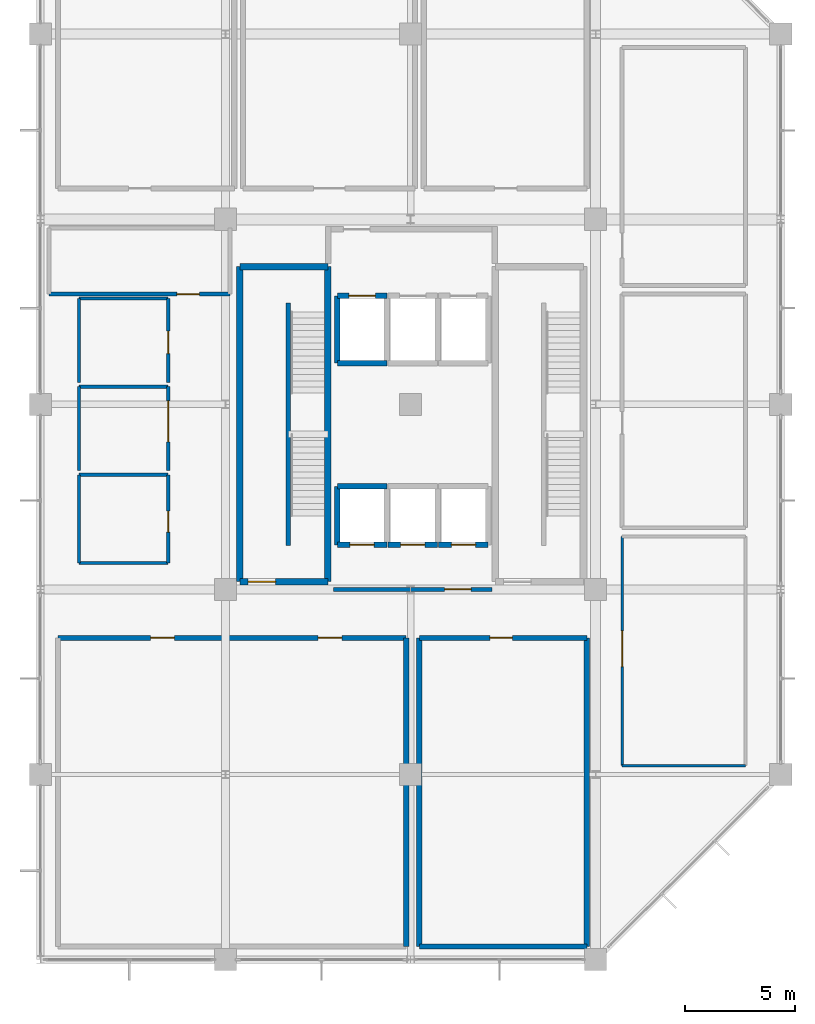
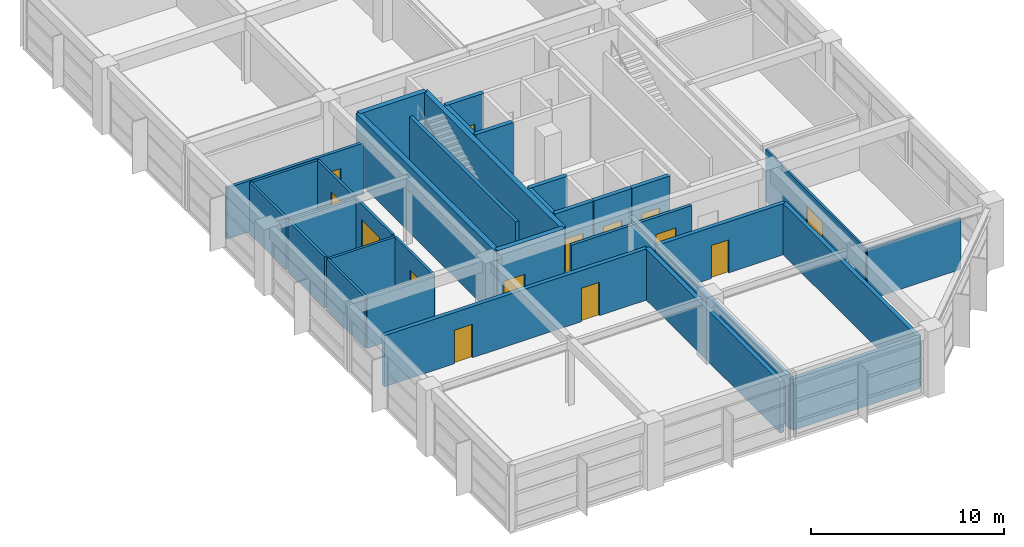
# One storey, part 13 of 16: 33 walls, 14 doors, 14 openings.
"""IFC4 building model written with IfcOpenShell, lengths in metres."""

from ifc_helpers import new_model, si_unit, direction, frame, frame_2d, origin, place, context, subcontext, project, spatial, rectangle, extrude, material, layer, layer_set, type_object, element, fill, save


model = new_model("IFC4")

# Units and contexts
model_context = context("Model", 3, precision=1e-05, world=origin(), true_north=direction((0.0, 1.0)))
body_context = subcontext(model_context, "Body", "Model", "MODEL_VIEW")
ifc_project = project(units=[si_unit("LENGTHUNIT", "METRE"), si_unit("AREAUNIT", "SQUARE_METRE"), si_unit("VOLUMEUNIT", "CUBIC_METRE"), si_unit("PLANEANGLEUNIT", "RADIAN"), si_unit("MASSUNIT", "GRAM", prefix="KILO")], contexts=[model_context])

# Site, building, storey
site_placement = place(None, origin())
site = spatial("IfcSite", under=ifc_project, at=site_placement, CompositionType="ELEMENT")
building_placement = place(site_placement, origin())
building = spatial("IfcBuilding", under=site, at=building_placement, Name="Xuanlan Plaza Opera House", CompositionType="ELEMENT")
storey_placement = place(building_placement, frame((0.0, 0.0, 48.89990234375)))
storey = spatial("IfcBuildingStorey", under=building, at=storey_placement, Name="L11", CompositionType="ELEMENT", Elevation=48.89990234375)

# Wall, openings, doors
ifc_material_1 = material(Name="Gypsum Board and Galvanised Steel Studs", Category="gypsum")
ifc_layer_1 = layer(ifc_material_1, 0.239990234375)
ifc_layer_set_1 = layer_set([ifc_layer_1], Name="Gypsum Board and Galvanised Steel Studs")
wall_type_1 = type_object("IfcWallType", Name="INT-WL-PW-01", PredefinedType="PARTITIONING", material=ifc_layer_set_1)
wall_1_placement = place(storey_placement, frame((126.800048828125, 48.199951171875, 0.0), z_axis=(0.0, 0.0, 1.0), x_axis=(1.0, 0.0, 0.0)))
wall_1 = element("IfcWall", 1, at=wall_1_placement, inside=storey, type_object=wall_type_1, Name="Ensemble Rehearsal Studio Wall North", PredefinedType="PARTITIONING", context=body_context, shape_type="SweptSolid", body=[
    extrude(rectangle(XDim=15.800048828125, YDim=0.239990234375, at=frame_2d((7.89990234375, 0.0))), origin(), (0.0, 0.0, 1.0), 3.239990234375),
])
opening_1_placement = place(wall_1_placement, frame((4.199951171875, 0.0, 0.0)))
opening_1 = element("IfcOpeningElement", 2, at=opening_1_placement, cuts=wall_1, Name="Opening D-06", PredefinedType="OPENING", context=body_context, shape_type="SweptSolid", body=[
    extrude(rectangle(XDim=1.080078125, YDim=2.1201171875, at=frame_2d((0.5400390625, 1.06005859375))), frame((0.0, 0.1298828125, 0.0), z_axis=(0.0, -1.0, 0.0), x_axis=(1.0, 0.0, 0.0)), (0.0, 0.0, 1.0), 0.260009765625),
])
opening_2_placement = place(wall_1_placement, frame((11.800048828125, 0.0, 0.0)))
opening_2 = element("IfcOpeningElement", 3, at=opening_2_placement, cuts=wall_1, Name="Opening D-06", PredefinedType="OPENING", context=body_context, shape_type="SweptSolid", body=[
    extrude(rectangle(XDim=1.080078125, YDim=2.1201171875, at=frame_2d((0.5400390625, 1.06005859375))), frame((0.0, 0.1298828125, 0.0), z_axis=(0.0, -1.0, 0.0), x_axis=(1.0, 0.0, 0.0)), (0.0, 0.0, 1.0), 0.260009765625),
])
ifc_material_2 = material(Name="Oak Hardwood Timber", Category="wood")
door_type_1 = type_object("IfcDoorType", Name="INT-DR-D-06", OperationType="NOTDEFINED", PredefinedType="DOOR", material=ifc_material_2)
door_1_placement = place(opening_1_placement, origin())
door_1 = element("IfcDoor", 4, at=door_1_placement, inside=storey, type_object=door_type_1, Name="Ensemble Rehearsal Studio Door 1", OperationType="SINGLE_SWING_RIGHT", OverallHeight=2.1201171875, OverallWidth=1.080078125, PredefinedType="DOOR", context=body_context, shape_type="SweptSolid", body=[
    extrude(rectangle(XDim=1.080078125, YDim=2.1201171875, at=frame_2d((0.5400390625, 1.06005859375))), frame((0.0, 0.02490234375, 0.0), z_axis=(0.0, -1.0, 0.0), x_axis=(1.0, 0.0, 0.0)), (0.0, 0.0, 1.0), 0.050048828125),
])
fill(opening_1, door_1)
door_2_placement = place(opening_2_placement, origin())
door_2 = element("IfcDoor", 5, at=door_2_placement, inside=storey, type_object=door_type_1, Name="Ensemble Rehearsal Studio Door 2", OperationType="SINGLE_SWING_LEFT", OverallHeight=2.1201171875, OverallWidth=1.080078125, PredefinedType="DOOR", context=body_context, shape_type="SweptSolid", body=[
    extrude(rectangle(XDim=1.080078125, YDim=2.1201171875, at=frame_2d((0.5400390625, 1.06005859375))), frame((0.0, 0.02490234375, 0.0), z_axis=(0.0, -1.0, 0.0), x_axis=(1.0, 0.0, 0.0)), (0.0, 0.0, 1.0), 0.050048828125),
])
fill(opening_2, door_2)

# Walls
wall_2_placement = place(storey_placement, frame((142.60009765625, 34.199951171875, 0.0), z_axis=(0.0, 0.0, 1.0), x_axis=(0.0, 1.0, 0.0)))
element("IfcWall", 6, at=wall_2_placement, inside=storey, type_object=wall_type_1, Name="Ensemble Rehearsal Studio Wall East", PredefinedType="PARTITIONING", context=body_context, shape_type="SweptSolid", body=[
    extrude(rectangle(XDim=14.0, YDim=0.239990234375, at=frame_2d((7.0, 0.0))), origin(), (0.0, 0.0, 1.0), 3.239990234375),
])
wall_3_placement = place(storey_placement, frame((143.199951171875, 34.199951171875, 0.0), z_axis=(0.0, 0.0, 1.0), x_axis=(1.0, 0.0, 0.0)))
element("IfcWall", 7, at=wall_3_placement, inside=storey, type_object=wall_type_1, Name="Conservatoire Practice Studio Wall South", PredefinedType="PARTITIONING", context=body_context, shape_type="SweptSolid", body=[
    extrude(rectangle(XDim=7.60009765625, YDim=0.239990234375, at=frame_2d((3.800048828125, 0.0))), origin(), (0.0, 0.0, 1.0), 3.239990234375),
])

# Wall, opening, door
wall_4_placement = place(storey_placement, frame((143.199951171875, 48.199951171875, 0.0), z_axis=(0.0, 0.0, 1.0), x_axis=(1.0, 0.0, 0.0)))
wall_4 = element("IfcWall", 8, at=wall_4_placement, inside=storey, type_object=wall_type_1, Name="Conservatoire Practice Studio Wall North", PredefinedType="PARTITIONING", context=body_context, shape_type="SweptSolid", body=[
    extrude(rectangle(XDim=7.60009765625, YDim=0.239990234375, at=frame_2d((3.800048828125, 0.0))), origin(), (0.0, 0.0, 1.0), 3.239990234375),
])
opening_3_placement = place(wall_4_placement, frame((3.199951171875, 0.0, 0.0)))
opening_3 = element("IfcOpeningElement", 9, at=opening_3_placement, cuts=wall_4, Name="Opening D-02", PredefinedType="OPENING", context=body_context, shape_type="SweptSolid", body=[
    extrude(rectangle(XDim=1.02001953125, YDim=2.10009765625, at=frame_2d((0.510009765625, 1.050048828125))), frame((0.0, 0.1298828125, 0.0), z_axis=(0.0, -1.0, 0.0), x_axis=(1.0, 0.0, 0.0)), (0.0, 0.0, 1.0), 0.260009765625),
])
door_type_2 = type_object("IfcDoorType", Name="INT-DR-D-02", OperationType="NOTDEFINED", PredefinedType="DOOR", material=ifc_material_2)
door_3_placement = place(opening_3_placement, origin())
door_3 = element("IfcDoor", 10, at=door_3_placement, inside=storey, type_object=door_type_2, Name="Conservatoire Practice Studio Door 1", OperationType="SINGLE_SWING_RIGHT", OverallHeight=2.10009765625, OverallWidth=1.02001953125, PredefinedType="DOOR", context=body_context, shape_type="SweptSolid", body=[
    extrude(rectangle(XDim=1.02001953125, YDim=2.10009765625, at=frame_2d((0.510009765625, 1.050048828125))), frame((0.0, 0.02490234375, 0.0), z_axis=(0.0, -1.0, 0.0), x_axis=(1.0, 0.0, 0.0)), (0.0, 0.0, 1.0), 0.050048828125),
])
fill(opening_3, door_3)

# Walls
for number, where, z_axis, x_axis, name in (
    (11, (143.199951171875, 34.199951171875, 0.0), (0.0, 0.0, 1.0), (0.0, 1.0, 0.0), "Conservatoire Practice Studio Wall West"),
    (12, (150.800048828125, 34.199951171875, 0.0), (0.0, 0.0, 1.0), (0.0, 1.0, 0.0), "Conservatoire Practice Studio Wall East"),
):
    element("IfcWall", number, at=place(storey_placement, frame(where, z_axis=z_axis, x_axis=x_axis)), inside=storey, type_object=wall_type_1, Name=name, PredefinedType="PARTITIONING", context=body_context, shape_type="SweptSolid", body=[
        extrude(rectangle(XDim=14.0, YDim=0.239990234375, at=frame_2d((7.0, 0.0))), origin(), (0.0, 0.0, 1.0), 3.239990234375),
    ])

# Wall, opening, door
ifc_layer_2 = layer(ifc_material_1, 0.179931640625)
ifc_layer_set_2 = layer_set([ifc_layer_2], Name="Gypsum Board and Galvanised Steel Studs")
wall_type_2 = type_object("IfcWallType", Name="INT-WL-PW-02", PredefinedType="PARTITIONING", material=ifc_layer_set_2)
wall_5_placement = place(storey_placement, frame((139.300048828125, 50.39990234375, 0.0), z_axis=(0.0, 0.0, 1.0), x_axis=(1.0, 0.0, 0.0)))
wall_5 = element("IfcWall", 13, at=wall_5_placement, inside=storey, type_object=wall_type_2, Name="Tower Lift Lobby Wall South", PredefinedType="PARTITIONING", context=body_context, shape_type="SweptSolid", body=[
    extrude(rectangle(XDim=7.199951171875, YDim=0.179931640625, at=frame_2d((3.60009765625, 0.0))), origin(), (0.0, 0.0, 1.0), 3.239990234375),
])
opening_4_placement = place(wall_5_placement, frame((5.050048828125, 0.0, 0.0)))
opening_4 = element("IfcOpeningElement", 14, at=opening_4_placement, cuts=wall_5, Name="Opening FD-02", PredefinedType="OPENING", context=body_context, shape_type="SweptSolid", body=[
    extrude(rectangle(XDim=1.199951171875, YDim=2.14990234375, at=frame_2d((0.60009765625, 1.074951171875))), frame((0.0, 0.099853515625, 0.0), z_axis=(0.0, -1.0, 0.0), x_axis=(1.0, 0.0, 0.0)), (0.0, 0.0, 1.0), 0.199951171875),
])
ifc_material_3 = material(Name="Galvanised Steel Q235B", Category="steel")
door_type_3 = type_object("IfcDoorType", Name="INT-DR-FD-02", OperationType="NOTDEFINED", PredefinedType="DOOR", material=ifc_material_3)
door_4_placement = place(opening_4_placement, frame((1.199951171875, 0.0, 0.0), z_axis=(0.0, 0.0, 1.0), x_axis=(-1.0, 0.0, 0.0)))
door_4 = element("IfcDoor", 15, at=door_4_placement, inside=storey, type_object=door_type_3, Name="Tower Lift Lobby Door 1", OperationType="SINGLE_SWING_RIGHT", OverallHeight=2.14990234375, OverallWidth=1.199951171875, PredefinedType="DOOR", context=body_context, shape_type="SweptSolid", body=[
    extrude(rectangle(XDim=1.199951171875, YDim=2.14990234375, at=frame_2d((0.60009765625, 1.074951171875))), frame((0.0, 0.02490234375, 0.0), z_axis=(0.0, -1.0, 0.0), x_axis=(1.0, 0.0, 0.0)), (0.0, 0.0, 1.0), 0.050048828125),
])
fill(opening_4, door_4)

wall_6_placement = place(storey_placement, frame((126.39990234375, 63.800048828125, 0.0), z_axis=(0.0, 0.0, 1.0), x_axis=(1.0, 0.0, 0.0)))
wall_6 = element("IfcWall", 16, at=wall_6_placement, inside=storey, type_object=wall_type_2, Name="Acoustics Research Studio Wall South", PredefinedType="PARTITIONING", context=body_context, shape_type="SweptSolid", body=[
    extrude(rectangle(XDim=8.2001953125, YDim=0.179931640625, at=frame_2d((4.10009765625, 0.0))), origin(), (0.0, 0.0, 1.0), 3.239990234375),
])
opening_5_placement = place(wall_6_placement, frame((5.800048828125, 0.0, 0.0)))
opening_5 = element("IfcOpeningElement", 17, at=opening_5_placement, cuts=wall_6, Name="Opening D-02", PredefinedType="OPENING", context=body_context, shape_type="SweptSolid", body=[
    extrude(rectangle(XDim=1.02001953125, YDim=2.10009765625, at=frame_2d((0.510009765625, 1.050048828125))), frame((0.0, 0.099853515625, 0.0), z_axis=(0.0, -1.0, 0.0), x_axis=(1.0, 0.0, 0.0)), (0.0, 0.0, 1.0), 0.199951171875),
])
door_5_placement = place(opening_5_placement, origin())
door_5 = element("IfcDoor", 18, at=door_5_placement, inside=storey, type_object=door_type_2, Name="Acoustics Research Studio Door 1", OperationType="SINGLE_SWING_RIGHT", OverallHeight=2.10009765625, OverallWidth=1.02001953125, PredefinedType="DOOR", context=body_context, shape_type="SweptSolid", body=[
    extrude(rectangle(XDim=1.02001953125, YDim=2.10009765625, at=frame_2d((0.510009765625, 1.050048828125))), frame((0.0, 0.02490234375, 0.0), z_axis=(0.0, -1.0, 0.0), x_axis=(1.0, 0.0, 0.0)), (0.0, 0.0, 1.0), 0.050048828125),
])
fill(opening_5, door_5)

# Walls
ifc_material_4 = material(Name="Autoclaved Aerated Blockwork Masonry", Category="masonry")
ifc_layer_3 = layer(ifc_material_4, 0.14990234375)
ifc_layer_set_3 = layer_set([ifc_layer_3], Name="Autoclaved Aerated Blockwork Masonry")
wall_type_3 = type_object("IfcWallType", Name="INT-WL-PW-03", PredefinedType="PARTITIONING", material=ifc_layer_set_3)
for number, where, z_axis, x_axis, name in (
    (19, (127.75, 51.60009765625, 0.0), (0.0, 0.0, 1.0), (1.0, 0.0, 0.0), "Public WC Wall South"),
    (20, (127.75, 55.60009765625, 0.0), (0.0, 0.0, 1.0), (1.0, 0.0, 0.0), "Public WC Wall North"),
):
    element("IfcWall", number, at=place(storey_placement, frame(where, z_axis=z_axis, x_axis=x_axis)), inside=storey, type_object=wall_type_3, Name=name, PredefinedType="PARTITIONING", context=body_context, shape_type="SweptSolid", body=[
        extrude(rectangle(XDim=4.050048828125, YDim=0.14990234375, at=frame_2d((2.02490234375, 0.0))), origin(), (0.0, 0.0, 1.0), 3.239990234375),
    ])
wall_7_placement = place(storey_placement, frame((127.75, 51.60009765625, 0.0), z_axis=(0.0, 0.0, 1.0), x_axis=(0.0, 1.0, 0.0)))
element("IfcWall", 21, at=wall_7_placement, inside=storey, type_object=wall_type_3, Name="Public WC Wall West", PredefinedType="PARTITIONING", context=body_context, shape_type="SweptSolid", body=[
    extrude(rectangle(XDim=4.0, YDim=0.14990234375, at=frame_2d((2.0, 0.0))), origin(), (0.0, 0.0, 1.0), 3.239990234375),
])

# Wall, opening, door
wall_8_placement = place(storey_placement, frame((131.800048828125, 51.60009765625, 0.0), z_axis=(0.0, 0.0, 1.0), x_axis=(0.0, 1.0, 0.0)))
wall_8 = element("IfcWall", 22, at=wall_8_placement, inside=storey, type_object=wall_type_3, Name="Public WC Wall East", PredefinedType="PARTITIONING", context=body_context, shape_type="SweptSolid", body=[
    extrude(rectangle(XDim=4.0, YDim=0.14990234375, at=frame_2d((2.0, 0.0))), origin(), (0.0, 0.0, 1.0), 3.239990234375),
])
opening_6_placement = place(wall_8_placement, frame((1.39990234375, 0.0, 0.0)))
opening_6 = element("IfcOpeningElement", 23, at=opening_6_placement, cuts=wall_8, Name="Opening D-01", PredefinedType="OPENING", context=body_context, shape_type="SweptSolid", body=[
    extrude(rectangle(XDim=0.949951171875, YDim=2.10009765625, at=frame_2d((0.47509765625, 1.050048828125))), frame((0.0, 0.0849609375, 0.0), z_axis=(0.0, -1.0, 0.0), x_axis=(1.0, 0.0, 0.0)), (0.0, 0.0, 1.0), 0.169921875),
])
ifc_material_5 = material(Name="Walnut Hardwood Timber", Category="wood")
door_type_4 = type_object("IfcDoorType", Name="INT-DR-D-01", OperationType="NOTDEFINED", PredefinedType="DOOR", material=ifc_material_5)
door_6_placement = place(opening_6_placement, origin())
door_6 = element("IfcDoor", 24, at=door_6_placement, inside=storey, type_object=door_type_4, Name="Public WC Door 1", OperationType="SINGLE_SWING_RIGHT", OverallHeight=2.10009765625, OverallWidth=0.949951171875, PredefinedType="DOOR", context=body_context, shape_type="SweptSolid", body=[
    extrude(rectangle(XDim=0.949951171875, YDim=2.10009765625, at=frame_2d((0.47509765625, 1.050048828125))), frame((0.0, 0.02490234375, 0.0), z_axis=(0.0, -1.0, 0.0), x_axis=(1.0, 0.0, 0.0)), (0.0, 0.0, 1.0), 0.050048828125),
])
fill(opening_6, door_6)

# Walls
wall_9_placement = place(storey_placement, frame((127.75, 59.60009765625, 0.0), z_axis=(0.0, 0.0, 1.0), x_axis=(1.0, 0.0, 0.0)))
element("IfcWall", 25, at=wall_9_placement, inside=storey, type_object=wall_type_3, Name="Staff WC Wall North", PredefinedType="PARTITIONING", context=body_context, shape_type="SweptSolid", body=[
    extrude(rectangle(XDim=4.050048828125, YDim=0.14990234375, at=frame_2d((2.02490234375, 0.0))), origin(), (0.0, 0.0, 1.0), 3.239990234375),
])
wall_10_placement = place(storey_placement, frame((127.75, 55.800048828125, 0.0), z_axis=(0.0, 0.0, 1.0), x_axis=(0.0, 1.0, 0.0)))
element("IfcWall", 26, at=wall_10_placement, inside=storey, type_object=wall_type_3, Name="Staff WC Wall West", PredefinedType="PARTITIONING", context=body_context, shape_type="SweptSolid", body=[
    extrude(rectangle(XDim=3.800048828125, YDim=0.14990234375, at=frame_2d((1.89990234375, 0.0))), origin(), (0.0, 0.0, 1.0), 3.239990234375),
])

# Wall, opening, door
wall_11_placement = place(storey_placement, frame((131.800048828125, 55.800048828125, 0.0), z_axis=(0.0, 0.0, 1.0), x_axis=(0.0, 1.0, 0.0)))
wall_11 = element("IfcWall", 27, at=wall_11_placement, inside=storey, type_object=wall_type_3, Name="Staff WC Wall East", PredefinedType="PARTITIONING", context=body_context, shape_type="SweptSolid", body=[
    extrude(rectangle(XDim=3.800048828125, YDim=0.14990234375, at=frame_2d((1.89990234375, 0.0))), origin(), (0.0, 0.0, 1.0), 3.239990234375),
])
opening_7_placement = place(wall_11_placement, frame((1.300048828125, 0.0, 0.0)))
opening_7 = element("IfcOpeningElement", 28, at=opening_7_placement, cuts=wall_11, Name="Opening D-15", PredefinedType="OPENING", context=body_context, shape_type="SweptSolid", body=[
    extrude(rectangle(XDim=1.860107421875, YDim=2.260009765625, at=frame_2d((0.93017578125, 1.1298828125))), frame((0.0, 0.0849609375, 0.0), z_axis=(0.0, -1.0, 0.0), x_axis=(1.0, 0.0, 0.0)), (0.0, 0.0, 1.0), 0.169921875),
])
door_type_5 = type_object("IfcDoorType", Name="INT-DR-D-15", OperationType="DOUBLE_DOOR_SINGLE_SWING", PredefinedType="DOOR", material=ifc_material_5)
door_7_placement = place(opening_7_placement, origin())
door_7 = element("IfcDoor", 29, at=door_7_placement, inside=storey, type_object=door_type_5, Name="Staff WC Door 1", OperationType="DOUBLE_DOOR_SINGLE_SWING", OverallHeight=2.260009765625, OverallWidth=1.860107421875, PredefinedType="DOOR", context=body_context, shape_type="SweptSolid", body=[
    extrude(rectangle(XDim=1.860107421875, YDim=2.260009765625, at=frame_2d((0.93017578125, 1.1298828125))), frame((0.0, 0.02490234375, 0.0), z_axis=(0.0, -1.0, 0.0), x_axis=(1.0, 0.0, 0.0)), (0.0, 0.0, 1.0), 0.050048828125),
])
fill(opening_7, door_7)

# Walls
wall_12_placement = place(storey_placement, frame((127.75, 63.60009765625, 0.0), z_axis=(0.0, 0.0, 1.0), x_axis=(1.0, 0.0, 0.0)))
element("IfcWall", 30, at=wall_12_placement, inside=storey, type_object=wall_type_3, Name="Accessible WC Wall North", PredefinedType="PARTITIONING", context=body_context, shape_type="SweptSolid", body=[
    extrude(rectangle(XDim=4.050048828125, YDim=0.14990234375, at=frame_2d((2.02490234375, 0.0))), origin(), (0.0, 0.0, 1.0), 3.239990234375),
])
wall_13_placement = place(storey_placement, frame((127.75, 59.800048828125, 0.0), z_axis=(0.0, 0.0, 1.0), x_axis=(0.0, 1.0, 0.0)))
element("IfcWall", 31, at=wall_13_placement, inside=storey, type_object=wall_type_3, Name="Accessible WC Wall West", PredefinedType="PARTITIONING", context=body_context, shape_type="SweptSolid", body=[
    extrude(rectangle(XDim=3.800048828125, YDim=0.14990234375, at=frame_2d((1.89990234375, 0.0))), origin(), (0.0, 0.0, 1.0), 3.239990234375),
])

# Wall, opening, door
wall_14_placement = place(storey_placement, frame((131.800048828125, 59.800048828125, 0.0), z_axis=(0.0, 0.0, 1.0), x_axis=(0.0, 1.0, 0.0)))
wall_14 = element("IfcWall", 32, at=wall_14_placement, inside=storey, type_object=wall_type_3, Name="Accessible WC Wall East", PredefinedType="PARTITIONING", context=body_context, shape_type="SweptSolid", body=[
    extrude(rectangle(XDim=3.800048828125, YDim=0.14990234375, at=frame_2d((1.89990234375, 0.0))), origin(), (0.0, 0.0, 1.0), 3.239990234375),
])
opening_8_placement = place(wall_14_placement, frame((1.300048828125, 0.0, 0.0)))
opening_8 = element("IfcOpeningElement", 33, at=opening_8_placement, cuts=wall_14, Name="Opening D-02", PredefinedType="OPENING", context=body_context, shape_type="SweptSolid", body=[
    extrude(rectangle(XDim=1.02001953125, YDim=2.10009765625, at=frame_2d((0.510009765625, 1.050048828125))), frame((0.0, 0.0849609375, 0.0), z_axis=(0.0, -1.0, 0.0), x_axis=(1.0, 0.0, 0.0)), (0.0, 0.0, 1.0), 0.169921875),
])
door_8_placement = place(opening_8_placement, origin())
door_8 = element("IfcDoor", 34, at=door_8_placement, inside=storey, type_object=door_type_2, Name="Accessible WC Door 1", OperationType="SINGLE_SWING_RIGHT", OverallHeight=2.10009765625, OverallWidth=1.02001953125, PredefinedType="DOOR", context=body_context, shape_type="SweptSolid", body=[
    extrude(rectangle(XDim=1.02001953125, YDim=2.10009765625, at=frame_2d((0.510009765625, 1.050048828125))), frame((0.0, 0.02490234375, 0.0), z_axis=(0.0, -1.0, 0.0), x_axis=(1.0, 0.0, 0.0)), (0.0, 0.0, 1.0), 0.050048828125),
])
fill(opening_8, door_8)

# Wall
ifc_layer_4 = layer(ifc_material_1, 0.1201171875)
ifc_layer_set_4 = layer_set([ifc_layer_4], Name="Gypsum Board and Galvanised Steel Studs")
wall_type_4 = type_object("IfcWallType", Name="INT-WL-PW-04", PredefinedType="PARTITIONING", material=ifc_layer_set_4)
wall_15_placement = place(storey_placement, frame((152.39990234375, 42.39990234375, 0.0), z_axis=(0.0, 0.0, 1.0), x_axis=(1.0, 0.0, 0.0)))
element("IfcWall", 35, at=wall_15_placement, inside=storey, type_object=wall_type_4, Name="Libretto and Media Editing Room 1 Wall South", PredefinedType="PARTITIONING", context=body_context, shape_type="SweptSolid", body=[
    extrude(rectangle(XDim=5.60009765625, YDim=0.1201171875, at=frame_2d((2.800048828125, 0.0))), origin(), (0.0, 0.0, 1.0), 3.239990234375),
])

# Wall, opening, door
wall_16_placement = place(storey_placement, frame((152.39990234375, 42.39990234375, 0.0), z_axis=(0.0, 0.0, 1.0), x_axis=(0.0, 1.0, 0.0)))
wall_16 = element("IfcWall", 36, at=wall_16_placement, inside=storey, type_object=wall_type_4, Name="Libretto and Media Editing Room 1 Wall West", PredefinedType="PARTITIONING", context=body_context, shape_type="SweptSolid", body=[
    extrude(rectangle(XDim=10.400146484375, YDim=0.1201171875, at=frame_2d((5.2001953125, 0.0))), origin(), (0.0, 0.0, 1.0), 3.239990234375),
])
opening_9_placement = place(wall_16_placement, frame((4.5, 0.0, 0.0)))
opening_9 = element("IfcOpeningElement", 37, at=opening_9_placement, cuts=wall_16, Name="Opening D-08", PredefinedType="OPENING", context=body_context, shape_type="SweptSolid", body=[
    extrude(rectangle(XDim=1.6201171875, YDim=2.219970703125, at=frame_2d((0.81005859375, 1.10986328125))), frame((0.0, 0.070068359375, 0.0), z_axis=(0.0, -1.0, 0.0), x_axis=(1.0, 0.0, 0.0)), (0.0, 0.0, 1.0), 0.14013671875),
])
door_type_6 = type_object("IfcDoorType", Name="INT-DR-D-08", OperationType="DOUBLE_DOOR_SINGLE_SWING", PredefinedType="DOOR", material=ifc_material_5)
door_9_placement = place(opening_9_placement, origin())
door_9 = element("IfcDoor", 38, at=door_9_placement, inside=storey, type_object=door_type_6, Name="Libretto and Media Editing Room 1 Door 1", OperationType="DOUBLE_DOOR_SINGLE_SWING", OverallHeight=2.219970703125, OverallWidth=1.6201171875, PredefinedType="DOOR", context=body_context, shape_type="SweptSolid", body=[
    extrude(rectangle(XDim=1.6201171875, YDim=2.219970703125, at=frame_2d((0.81005859375, 1.10986328125))), frame((0.0, 0.02490234375, 0.0), z_axis=(0.0, -1.0, 0.0), x_axis=(1.0, 0.0, 0.0)), (0.0, 0.0, 1.0), 0.050048828125),
])
fill(opening_9, door_9)

# Wall
ifc_material_6 = material(Name="Concrete C40", Category="concrete")
ifc_layer_5 = layer(ifc_material_6, 0.25)
ifc_layer_set_5 = layer_set([ifc_layer_5], Name="Concrete C40")
wall_type_5 = type_object("IfcWallType", Name="INT-WL-SW-LF1", PredefinedType="SHEAR", material=ifc_layer_set_5)
wall_17_placement = place(storey_placement, frame((139.47509765625, 60.675048828125, 0.0), z_axis=(0.0, 0.0, 1.0), x_axis=(1.0, 0.0, 0.0)))
element("IfcWall", 39, at=wall_17_placement, inside=storey, type_object=wall_type_5, Name="Lift Shaft Wall LF-FF1 L11 South", PredefinedType="SHEAR", context=body_context, shape_type="SweptSolid", body=[
    extrude(rectangle(XDim=2.25, YDim=0.25, at=frame_2d((1.125, 0.0))), origin(), (0.0, 0.0, 1.0), 3.960205078125),
])

# Wall, opening, door
wall_18_placement = place(storey_placement, frame((139.47509765625, 63.72509765625, 0.0), z_axis=(0.0, 0.0, 1.0), x_axis=(1.0, 0.0, 0.0)))
wall_18 = element("IfcWall", 40, at=wall_18_placement, inside=storey, type_object=wall_type_5, Name="Lift Shaft Wall LF-FF1 L11 North", PredefinedType="SHEAR", context=body_context, shape_type="SweptSolid", body=[
    extrude(rectangle(XDim=2.25, YDim=0.25, at=frame_2d((1.125, 0.0))), origin(), (0.0, 0.0, 1.0), 3.960205078125),
])
opening_10_placement = place(wall_18_placement, frame((0.52490234375, 0.0, 0.0)))
opening_10 = element("IfcOpeningElement", 41, at=opening_10_placement, cuts=wall_18, Name="Opening LD-FF1-L11", PredefinedType="OPENING", context=body_context, shape_type="SweptSolid", body=[
    extrude(rectangle(XDim=1.199951171875, YDim=2.179931640625, at=frame_2d((0.60009765625, 1.08984375))), frame((0.0, 0.135009765625, 0.0), z_axis=(0.0, -1.0, 0.0), x_axis=(1.0, 0.0, 0.0)), (0.0, 0.0, 1.0), 0.27001953125),
])
ifc_material_7 = material(Name="Stainless Steel S30408", Category="steel")
door_type_7 = type_object("IfcDoorType", Name="INT-DR-LD-02", OperationType="DOUBLE_DOOR_SLIDING", PredefinedType="DOOR", material=ifc_material_7)
door_10_placement = place(opening_10_placement, origin())
door_10 = element("IfcDoor", 42, at=door_10_placement, inside=storey, type_object=door_type_7, Name="Lift Sliding Landing Door LF-FF1 L11", OperationType="DOUBLE_DOOR_SLIDING", OverallHeight=2.179931640625, OverallWidth=1.199951171875, PredefinedType="DOOR", context=body_context, shape_type="SweptSolid", body=[
    extrude(rectangle(XDim=1.199951171875, YDim=2.179931640625, at=frame_2d((0.60009765625, 1.08984375))), frame((0.0, 0.02490234375, 0.0), z_axis=(0.0, -1.0, 0.0), x_axis=(1.0, 0.0, 0.0)), (0.0, 0.0, 1.0), 0.050048828125),
])
fill(opening_10, door_10)

# Wall
wall_19_placement = place(storey_placement, frame((139.47509765625, 60.675048828125, 0.0), z_axis=(0.0, 0.0, 1.0), x_axis=(0.0, 1.0, 0.0)))
element("IfcWall", 43, at=wall_19_placement, inside=storey, type_object=wall_type_5, Name="Lift Shaft Wall LF-FF1 L11 West", PredefinedType="SHEAR", context=body_context, shape_type="SweptSolid", body=[
    extrude(rectangle(XDim=3.050048828125, YDim=0.25, at=frame_2d((1.52490234375, 0.0))), origin(), (0.0, 0.0, 1.0), 3.960205078125),
])

# Wall, opening, door
wall_20_placement = place(storey_placement, frame((139.47509765625, 52.425048828125, 0.0), z_axis=(0.0, 0.0, 1.0), x_axis=(1.0, 0.0, 0.0)))
wall_20 = element("IfcWall", 44, at=wall_20_placement, inside=storey, type_object=wall_type_5, Name="Lift Shaft Wall LF-P1 L11 South", PredefinedType="SHEAR", context=body_context, shape_type="SweptSolid", body=[
    extrude(rectangle(XDim=2.25, YDim=0.25, at=frame_2d((1.125, 0.0))), origin(), (0.0, 0.0, 1.0), 3.960205078125),
])
opening_11_placement = place(wall_20_placement, frame((0.574951171875, 0.0, 0.0)))
opening_11 = element("IfcOpeningElement", 45, at=opening_11_placement, cuts=wall_20, Name="Opening LD-P1-L11", PredefinedType="OPENING", context=body_context, shape_type="SweptSolid", body=[
    extrude(rectangle(XDim=1.10009765625, YDim=2.14990234375, at=frame_2d((0.550048828125, 1.074951171875))), frame((0.0, 0.135009765625, 0.0), z_axis=(0.0, -1.0, 0.0), x_axis=(1.0, 0.0, 0.0)), (0.0, 0.0, 1.0), 0.27001953125),
])
door_type_8 = type_object("IfcDoorType", Name="INT-DR-LD-01", OperationType="DOUBLE_DOOR_SLIDING", PredefinedType="DOOR", material=ifc_material_7)
door_11_placement = place(opening_11_placement, origin())
door_11 = element("IfcDoor", 46, at=door_11_placement, inside=storey, type_object=door_type_8, Name="Lift Sliding Landing Door LF-P1 L11", OperationType="DOUBLE_DOOR_SLIDING", OverallHeight=2.14990234375, OverallWidth=1.10009765625, PredefinedType="DOOR", context=body_context, shape_type="SweptSolid", body=[
    extrude(rectangle(XDim=1.10009765625, YDim=2.14990234375, at=frame_2d((0.550048828125, 1.074951171875))), frame((0.0, 0.02490234375, 0.0), z_axis=(0.0, -1.0, 0.0), x_axis=(1.0, 0.0, 0.0)), (0.0, 0.0, 1.0), 0.050048828125),
])
fill(opening_11, door_11)

# Walls
wall_21_placement = place(storey_placement, frame((139.47509765625, 55.074951171875, 0.0), z_axis=(0.0, 0.0, 1.0), x_axis=(1.0, 0.0, 0.0)))
element("IfcWall", 47, at=wall_21_placement, inside=storey, type_object=wall_type_5, Name="Lift Shaft Wall LF-P1 L11 North", PredefinedType="SHEAR", context=body_context, shape_type="SweptSolid", body=[
    extrude(rectangle(XDim=2.25, YDim=0.25, at=frame_2d((1.125, 0.0))), origin(), (0.0, 0.0, 1.0), 3.960205078125),
])
wall_22_placement = place(storey_placement, frame((139.47509765625, 52.425048828125, 0.0), z_axis=(0.0, 0.0, 1.0), x_axis=(0.0, 1.0, 0.0)))
element("IfcWall", 48, at=wall_22_placement, inside=storey, type_object=wall_type_5, Name="Lift Shaft Wall LF-P1 L11 West", PredefinedType="SHEAR", context=body_context, shape_type="SweptSolid", body=[
    extrude(rectangle(XDim=2.64990234375, YDim=0.25, at=frame_2d((1.324951171875, 0.0))), origin(), (0.0, 0.0, 1.0), 3.960205078125),
])

# Wall, opening, door
wall_23_placement = place(storey_placement, frame((141.77490234375, 52.425048828125, 0.0), z_axis=(0.0, 0.0, 1.0), x_axis=(1.0, 0.0, 0.0)))
wall_23 = element("IfcWall", 49, at=wall_23_placement, inside=storey, type_object=wall_type_5, Name="Lift Shaft Wall LF-P2 L11 South", PredefinedType="SHEAR", context=body_context, shape_type="SweptSolid", body=[
    extrude(rectangle(XDim=2.25, YDim=0.25, at=frame_2d((1.125, 0.0))), origin(), (0.0, 0.0, 1.0), 3.960205078125),
])
opening_12_placement = place(wall_23_placement, frame((0.574951171875, 0.0, 0.0)))
opening_12 = element("IfcOpeningElement", 50, at=opening_12_placement, cuts=wall_23, Name="Opening LD-P2-L11", PredefinedType="OPENING", context=body_context, shape_type="SweptSolid", body=[
    extrude(rectangle(XDim=1.10009765625, YDim=2.14990234375, at=frame_2d((0.550048828125, 1.074951171875))), frame((0.0, 0.135009765625, 0.0), z_axis=(0.0, -1.0, 0.0), x_axis=(1.0, 0.0, 0.0)), (0.0, 0.0, 1.0), 0.27001953125),
])
door_12_placement = place(opening_12_placement, origin())
door_12 = element("IfcDoor", 51, at=door_12_placement, inside=storey, type_object=door_type_8, Name="Lift Sliding Landing Door LF-P2 L11", OperationType="DOUBLE_DOOR_SLIDING", OverallHeight=2.14990234375, OverallWidth=1.10009765625, PredefinedType="DOOR", context=body_context, shape_type="SweptSolid", body=[
    extrude(rectangle(XDim=1.10009765625, YDim=2.14990234375, at=frame_2d((0.550048828125, 1.074951171875))), frame((0.0, 0.02490234375, 0.0), z_axis=(0.0, -1.0, 0.0), x_axis=(1.0, 0.0, 0.0)), (0.0, 0.0, 1.0), 0.050048828125),
])
fill(opening_12, door_12)

wall_24_placement = place(storey_placement, frame((144.074951171875, 52.425048828125, 0.0), z_axis=(0.0, 0.0, 1.0), x_axis=(1.0, 0.0, 0.0)))
wall_24 = element("IfcWall", 52, at=wall_24_placement, inside=storey, type_object=wall_type_5, Name="Lift Shaft Wall LF-P3 L11 South", PredefinedType="SHEAR", context=body_context, shape_type="SweptSolid", body=[
    extrude(rectangle(XDim=2.25, YDim=0.25, at=frame_2d((1.125, 0.0))), origin(), (0.0, 0.0, 1.0), 3.960205078125),
])
opening_13_placement = place(wall_24_placement, frame((0.574951171875, 0.0, 0.0)))
opening_13 = element("IfcOpeningElement", 53, at=opening_13_placement, cuts=wall_24, Name="Opening LD-P3-L11", PredefinedType="OPENING", context=body_context, shape_type="SweptSolid", body=[
    extrude(rectangle(XDim=1.10009765625, YDim=2.14990234375, at=frame_2d((0.550048828125, 1.074951171875))), frame((0.0, 0.135009765625, 0.0), z_axis=(0.0, -1.0, 0.0), x_axis=(1.0, 0.0, 0.0)), (0.0, 0.0, 1.0), 0.27001953125),
])
door_13_placement = place(opening_13_placement, origin())
door_13 = element("IfcDoor", 54, at=door_13_placement, inside=storey, type_object=door_type_8, Name="Lift Sliding Landing Door LF-P3 L11", OperationType="DOUBLE_DOOR_SLIDING", OverallHeight=2.14990234375, OverallWidth=1.10009765625, PredefinedType="DOOR", context=body_context, shape_type="SweptSolid", body=[
    extrude(rectangle(XDim=1.10009765625, YDim=2.14990234375, at=frame_2d((0.550048828125, 1.074951171875))), frame((0.0, 0.02490234375, 0.0), z_axis=(0.0, -1.0, 0.0), x_axis=(1.0, 0.0, 0.0)), (0.0, 0.0, 1.0), 0.050048828125),
])
fill(opening_13, door_13)

# Wall
ifc_layer_6 = layer(ifc_material_6, 0.199951171875)
ifc_layer_set_6 = layer_set([ifc_layer_6], Name="Concrete C40")
wall_type_6 = type_object("IfcWallType", Name="INT-WL-SW-SPN", PredefinedType="SHEAR", material=ifc_layer_set_6)
wall_25_placement = place(storey_placement, frame((137.25, 52.39990234375, 0.0), z_axis=(0.0, 0.0, 1.0), x_axis=(0.0, 1.0, 0.0)))
element("IfcWall", 55, at=wall_25_placement, inside=storey, type_object=wall_type_6, Name="Stair Structural Spine Wall ST-T1 L11", PredefinedType="SHEAR", context=body_context, shape_type="SweptSolid", body=[
    extrude(rectangle(XDim=11.0, YDim=0.199951171875, at=frame_2d((5.5, 0.0))), origin(), (0.0, 0.0, 1.0), 4.2001953125),
])

# Wall, opening, door
ifc_layer_7 = layer(ifc_material_6, 0.300048828125)
ifc_layer_set_7 = layer_set([ifc_layer_7], Name="Concrete C40")
wall_type_7 = type_object("IfcWallType", Name="INT-WL-SW-ST1", PredefinedType="SHEAR", material=ifc_layer_set_7)
wall_26_placement = place(storey_placement, frame((135.050048828125, 50.75, 0.0), z_axis=(0.0, 0.0, 1.0), x_axis=(1.0, 0.0, 0.0)))
wall_26 = element("IfcWall", 56, at=wall_26_placement, inside=storey, type_object=wall_type_7, Name="Stair Core Wall ST-T1 L11 South", PredefinedType="SHEAR", context=body_context, shape_type="SweptSolid", body=[
    extrude(rectangle(XDim=4.0, YDim=0.300048828125, at=frame_2d((2.0, 0.0))), origin(), (0.0, 0.0, 1.0), 4.2001953125),
])
opening_14_placement = place(wall_26_placement, frame((0.375, 0.0, 0.0)))
opening_14 = element("IfcOpeningElement", 57, at=opening_14_placement, cuts=wall_26, Name="Opening FD-ST1", PredefinedType="OPENING", context=body_context, shape_type="SweptSolid", body=[
    extrude(rectangle(XDim=1.25, YDim=2.14990234375, at=frame_2d((0.625, 1.074951171875))), frame((0.0, 0.159912109375, 0.0), z_axis=(0.0, -1.0, 0.0), x_axis=(1.0, 0.0, 0.0)), (0.0, 0.0, 1.0), 0.320068359375),
])
door_type_9 = type_object("IfcDoorType", Name="INT-DR-FD-ST1", OperationType="NOTDEFINED", PredefinedType="DOOR", material=ifc_material_3)
door_14_placement = place(opening_14_placement, origin())
door_14 = element("IfcDoor", 58, at=door_14_placement, inside=storey, type_object=door_type_9, Name="Stair Enclosure Fire Door ST-T1 L11", OperationType="SINGLE_SWING_LEFT", OverallHeight=2.14990234375, OverallWidth=1.25, PredefinedType="DOOR", context=body_context, shape_type="SweptSolid", body=[
    extrude(rectangle(XDim=1.25, YDim=2.14990234375, at=frame_2d((0.625, 1.074951171875))), frame((0.0, 0.02490234375, 0.0), z_axis=(0.0, -1.0, 0.0), x_axis=(1.0, 0.0, 0.0)), (0.0, 0.0, 1.0), 0.050048828125),
])
fill(opening_14, door_14)

# Walls
wall_27_placement = place(storey_placement, frame((135.050048828125, 65.050048828125, 0.0), z_axis=(0.0, 0.0, 1.0), x_axis=(1.0, 0.0, 0.0)))
element("IfcWall", 59, at=wall_27_placement, inside=storey, type_object=wall_type_7, Name="Stair Core Wall ST-T1 L11 North", PredefinedType="SHEAR", context=body_context, shape_type="SweptSolid", body=[
    extrude(rectangle(XDim=4.0, YDim=0.300048828125, at=frame_2d((2.0, 0.0))), origin(), (0.0, 0.0, 1.0), 4.2001953125),
])
for number, where, z_axis, x_axis, name in (
    (60, (135.050048828125, 50.75, 0.0), (0.0, 0.0, 1.0), (0.0, 1.0, 0.0), "Stair Core Wall ST-T1 L11 West"),
    (61, (139.050048828125, 50.75, 0.0), (0.0, 0.0, 1.0), (0.0, 1.0, 0.0), "Stair Core Wall ST-T1 L11 East"),
):
    element("IfcWall", number, at=place(storey_placement, frame(where, z_axis=z_axis, x_axis=x_axis)), inside=storey, type_object=wall_type_7, Name=name, PredefinedType="SHEAR", context=body_context, shape_type="SweptSolid", body=[
        extrude(rectangle(XDim=14.300048828125, YDim=0.300048828125, at=frame_2d((7.14990234375, 0.0))), origin(), (0.0, 0.0, 1.0), 4.2001953125),
    ])

save(model, "model.ifc")
